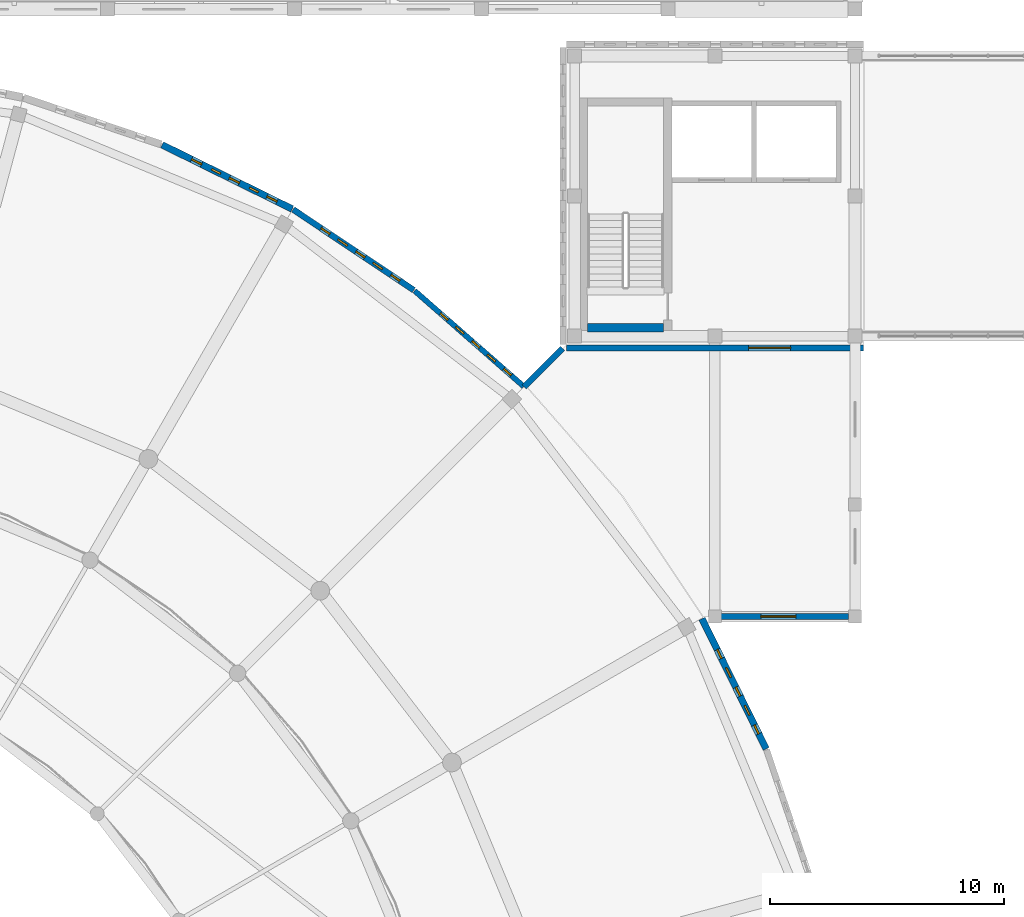
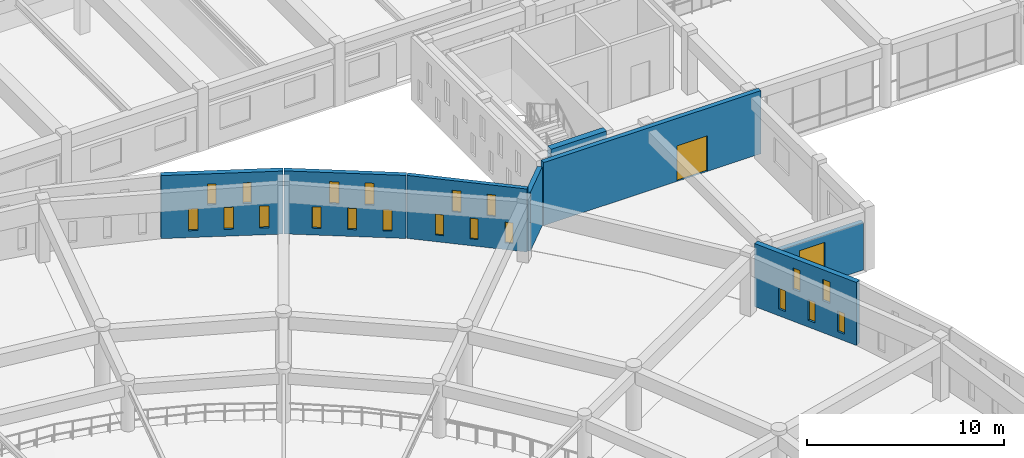
# One storey, part 69 of 98: 21 windows, 8 walls, 1 door, 22 openings.
"""IFC4 building model written with IfcOpenShell, lengths in metres."""

import ifcopenshell
import ifcopenshell.guid

model = None  # the IFC model being written
_history = None  # IfcOwnerHistory: only IFC2X3 demands one
_inside = {}  # id of a spatial element -> (the spatial element, [elements in it])
_under = {}  # id of a project, library or spatial element -> (it, [spatial elements below it])
_declared = {}  # id of a project -> (the project, [libraries it declares])
_typed = {}  # id of a type object -> (the type object, [elements of that type])
_made_of = {}  # id of a material, layer set ... -> (it, [elements and type objects made of it])


def new_model(schema):
    """Start an empty IFC model of exactly this schema.

    Asked for "IFC4X3", IfcOpenShell would pick the latest addendum, in which some entities
    have other attributes; the version numbers below select the first issue.
    IFC2X3 requires an IfcOwnerHistory on every rooted entity: one is made here for all.
    """
    global model, _history
    if schema == "IFC4X3":
        model = ifcopenshell.file(schema_version=(4, 3, 0, 0))
    else:
        model = ifcopenshell.file(schema=schema)
    _inside.clear()
    _under.clear()
    _declared.clear()
    _typed.clear()
    _made_of.clear()
    _history = None
    if model.schema == "IFC2X3":
        org = make("IfcOrganization", Name="unknown")
        user = make(
            "IfcPersonAndOrganization",
            ThePerson=make("IfcPerson", FamilyName="unknown"),
            TheOrganization=org,
        )
        app = make(
            "IfcApplication",
            ApplicationDeveloper=org,
            Version="unknown",
            ApplicationFullName="unknown",
            ApplicationIdentifier="unknown",
        )
        _history = make(
            "IfcOwnerHistory",
            OwningUser=user,
            OwningApplication=app,
            ChangeAction="ADDED",
            CreationDate=0,
        )
    return model


def make(cls, **values):
    """One entity of the class cls with the attributes given. An attribute that is None is left unset."""
    return model.create_entity(
        cls, **{name: value for name, value in values.items() if value is not None}
    )


def rooted(cls, **values):
    """An entity with a GlobalId (a new one), such as an element, a storey or a relation."""
    return make(cls, GlobalId=ifcopenshell.guid.new(), OwnerHistory=_history, **values)


def si_unit(unit_type, name, prefix=None):
    """IfcSIUnit, for example si_unit("LENGTHUNIT", "METRE", prefix="MILLI")."""
    return make("IfcSIUnit", UnitType=unit_type, Prefix=prefix, Name=name)


def assignment(units):
    """IfcUnitAssignment: the units of a project."""
    return None if units is None else make("IfcUnitAssignment", Units=units)


def point(xyz):
    """IfcCartesianPoint."""
    return None if xyz is None else make("IfcCartesianPoint", Coordinates=xyz)


def direction(xyz):
    """IfcDirection."""
    return None if xyz is None else make("IfcDirection", DirectionRatios=xyz)


def frame(location, z_axis=None, x_axis=None):
    """IfcAxis2Placement3D, a coordinate frame: its origin and axes. An axis left out is left unset."""
    return make(
        "IfcAxis2Placement3D",
        Location=point(location),
        Axis=direction(z_axis),
        RefDirection=direction(x_axis),
    )


def frame_2d(location, x_axis=None):
    """IfcAxis2Placement2D, a coordinate frame in the plane: its origin and x axis."""
    return make(
        "IfcAxis2Placement2D", Location=point(location), RefDirection=direction(x_axis)
    )


def origin():
    """The frame at (0, 0, 0) with its axes left unset."""
    return frame((0.0, 0.0, 0.0))


def place(relative_to, where):
    """IfcLocalPlacement: puts the frame where relative to a parent placement (None: the world)."""
    return make(
        "IfcLocalPlacement", PlacementRelTo=relative_to, RelativePlacement=where
    )


def context(
    kind, dimensions, precision=None, world=None, true_north=None, identifier=None
):
    """IfcGeometricRepresentationContext, for example the 3D "Model" context."""
    return make(
        "IfcGeometricRepresentationContext",
        ContextIdentifier=identifier,
        ContextType=kind,
        CoordinateSpaceDimension=dimensions,
        Precision=precision,
        WorldCoordinateSystem=world,
        TrueNorth=true_north,
    )


def subcontext(parent, identifier, kind, view, scale=None):
    """IfcGeometricRepresentationSubContext, for example "Body" below "Model"."""
    return make(
        "IfcGeometricRepresentationSubContext",
        ContextIdentifier=identifier,
        ContextType=kind,
        ParentContext=parent,
        TargetScale=scale,
        TargetView=view,
    )


def project(units=None, contexts=None):
    """IfcProject with its units and contexts."""
    return rooted(
        "IfcProject",
        Name="project",
        RepresentationContexts=contexts,
        UnitsInContext=assignment(units),
    )


def spatial(cls, under=None, at=None, **own):
    """A site, building, storey or space (cls), placed at a placement, below another one or the project."""
    s = rooted(cls, ObjectPlacement=at, **own)
    if under is not None:
        _under.setdefault(under.id(), (under, []))[1].append(s)
    return s


def profile(cls, at=None, kind="AREA", **sizes):
    """A parametric profile (cls). Its sizes go by their IFC names, for example OverallWidth=200.0."""
    return make(cls, ProfileType=kind, Position=at, **sizes)


def rectangle(**sizes):
    """IfcRectangleProfileDef."""
    return profile("IfcRectangleProfileDef", **sizes)


def extrude(swept, where, along, depth):
    """IfcExtrudedAreaSolid: the profile swept, set in the frame where, extruded along a direction by depth."""
    return make(
        "IfcExtrudedAreaSolid",
        SweptArea=swept,
        Position=where,
        ExtrudedDirection=direction(along),
        Depth=depth,
    )


def shape(context_of_items, identifier, shape_type, items):
    """IfcShapeRepresentation: the items that make up one representation, for example the "Body"."""
    return make(
        "IfcShapeRepresentation",
        ContextOfItems=context_of_items,
        RepresentationIdentifier=identifier,
        RepresentationType=shape_type,
        Items=items,
    )


def material(Name=None, Category=None):
    """IfcMaterial."""
    return make("IfcMaterial", Name=Name, Category=Category)


def layer(
    of_material, thickness, ventilated=None, Name=None, Category=None, Priority=None
):
    """IfcMaterialLayer: one layer of a wall or slab, of a material (None: an air gap)."""
    return make(
        "IfcMaterialLayer",
        Material=of_material,
        LayerThickness=thickness,
        IsVentilated=ventilated,
        Name=Name,
        Category=Category,
        Priority=Priority,
    )


def layer_set(layers, Name=None):
    """IfcMaterialLayerSet."""
    return make("IfcMaterialLayerSet", MaterialLayers=layers, LayerSetName=Name)


def made_of(thing, what):
    """Note that an element or type object is made of a material, layer set ...; save() writes the relation."""
    if what is not None:
        _made_of.setdefault(what.id(), (what, []))[1].append(thing)
    return thing


def type_object(cls, material=None, **own):
    """A type object (cls), such as IfcWallType, which elements share."""
    return made_of(rooted(cls, **own), material)


def element(
    cls,
    number,
    at=None,
    inside=None,
    cuts=None,
    type_object=None,
    material=None,
    context=None,
    identifier="Body",
    shape_type=None,
    held_by="IfcProductDefinitionShape",
    body=None,
    shapes=None,
    **own,
):
    """One element of the class cls, such as IfcWall. Its Tag is "e" and its number.

    at: its placement. inside: the storey or other place that contains it. cuts: it is an
    opening in that element (IfcRelVoidsElement). A single representation is given by context,
    identifier, shape_type and body (its items); several are given by shapes. held_by: the class
    of the entity that holds the representations. save() writes the other relations.
    """
    e = rooted(cls, Tag="e%d" % number, ObjectPlacement=at, **own)
    if body is not None:
        shapes = [shape(context, identifier, shape_type, body)]
    if shapes is not None:
        e.Representation = make(held_by, Representations=shapes)
    if inside is not None:
        _inside.setdefault(inside.id(), (inside, []))[1].append(e)
    if cuts is not None:
        rooted(
            "IfcRelVoidsElement", RelatingBuildingElement=cuts, RelatedOpeningElement=e
        )
    if type_object is not None:
        _typed.setdefault(type_object.id(), (type_object, []))[1].append(e)
    return made_of(e, material)


def fill(opening, filler):
    """IfcRelFillsElement: the door or window that sits in an opening."""
    return rooted(
        "IfcRelFillsElement",
        RelatingOpeningElement=opening,
        RelatedBuildingElement=filler,
    )


def aggregate(whole, parts):
    """IfcRelAggregates: a whole, such as a stair, and the parts it consists of."""
    return rooted("IfcRelAggregates", RelatingObject=whole, RelatedObjects=parts)


def save(model, path):
    """Write the relations noted so far, then the file.

    IfcRelAggregates (storeys below a building ...), IfcRelContainedInSpatialStructure (elements
    in a storey), IfcRelDefinesByType, IfcRelAssociatesMaterial and IfcRelDeclares: one each for
    every whole, place, type object, material and project.
    """
    for whole, parts in _under.values():
        aggregate(whole, parts)
    for where, things in _inside.values():
        rooted(
            "IfcRelContainedInSpatialStructure",
            RelatedElements=things,
            RelatingStructure=where,
        )
    for kind, things in _typed.values():
        rooted("IfcRelDefinesByType", RelatedObjects=things, RelatingType=kind)
    for what, things in _made_of.values():
        rooted("IfcRelAssociatesMaterial", RelatedObjects=things, RelatingMaterial=what)
    for by, libraries in _declared.values():
        rooted("IfcRelDeclares", RelatingContext=by, RelatedDefinitions=libraries)
    model.write(path)


model = new_model("IFC4")

# Units and contexts
model_context = context("Model", 3, precision=1e-05, world=origin(), true_north=direction((0.0, 1.0)))
body_context = subcontext(model_context, "Body", "Model", "MODEL_VIEW")
ifc_project = project(units=[si_unit("LENGTHUNIT", "METRE"), si_unit("AREAUNIT", "SQUARE_METRE"), si_unit("VOLUMEUNIT", "CUBIC_METRE"), si_unit("PLANEANGLEUNIT", "RADIAN"), si_unit("MASSUNIT", "GRAM", prefix="KILO")], contexts=[model_context])

# Site, building, storey
site_placement = place(None, origin())
site = spatial("IfcSite", under=ifc_project, at=site_placement, CompositionType="ELEMENT")
building_placement = place(site_placement, origin())
building = spatial("IfcBuilding", under=site, at=building_placement, Name="Larkveld Mobility Hub", CompositionType="ELEMENT")
storey_placement = place(building_placement, frame((0.0, 0.0, 4.5)))
storey = spatial("IfcBuildingStorey", under=building, at=storey_placement, Name="L01", CompositionType="ELEMENT", Elevation=4.5)

# Wall, openings, windows
ifc_material_1 = material(Name="Fired clay brick 25 MPa", Category="masonry")
ifc_layer_1 = layer(ifc_material_1, 0.22998046875, Name="Fired clay brick 25 MPa", Category="masonry")
ifc_layer_set_1 = layer_set([ifc_layer_1], Name="Fired clay brick 25 MPa")
wall_type_1 = type_object("IfcWallType", Name="WL-BRK-230", PredefinedType="USERDEFINED", material=ifc_layer_set_1)
wall_1_placement = place(storey_placement, frame((81.81689453125, 81.85107421875, 0.0), z_axis=(0.0, 0.0, 1.0), x_axis=(-0.751874993266, 0.65930569124, 0.0)))
wall_1 = element("IfcWall", 1, at=wall_1_placement, inside=storey, type_object=wall_type_1, Name="Drum Woven Open-Bond Brick Chord L01-0051", ObjectType="PERFORATED BRICK SCREEN", PredefinedType="USERDEFINED", context=body_context, shape_type="SweptSolid", body=[
    extrude(rectangle(XDim=6.2109375, YDim=0.22998046875, at=frame_2d((3.10546875, 0.0))), origin(), (0.0, 0.0, 1.0), 3.89990234375),
])
opening_1_placement = place(wall_1_placement, frame((0.719970703125, 0.0, 0.419921875)))
opening_1 = element("IfcOpeningElement", 2, at=opening_1_placement, cuts=wall_1, Name="Opening W01", PredefinedType="OPENING", context=body_context, shape_type="SweptSolid", body=[
    extrude(rectangle(XDim=0.419921875, YDim=1.280029296875, at=frame_2d((0.2099609375, 0.64013671875))), frame((0.0, 0.125, 0.0), z_axis=(0.0, -1.0, 0.0), x_axis=(1.0, 0.0, 0.0)), (0.0, 0.0, 1.0), 0.25),
])
opening_2_placement = place(wall_1_placement, frame((2.52001953125, 0.0, 0.419921875)))
opening_2 = element("IfcOpeningElement", 3, at=opening_2_placement, cuts=wall_1, Name="Opening W01", PredefinedType="OPENING", context=body_context, shape_type="SweptSolid", body=[
    extrude(rectangle(XDim=0.419921875, YDim=1.280029296875, at=frame_2d((0.2099609375, 0.64013671875))), frame((0.0, 0.125, 0.0), z_axis=(0.0, -1.0, 0.0), x_axis=(1.0, 0.0, 0.0)), (0.0, 0.0, 1.0), 0.25),
])
opening_3_placement = place(wall_1_placement, frame((4.320068359375, 0.0, 0.419921875)))
opening_3 = element("IfcOpeningElement", 4, at=opening_3_placement, cuts=wall_1, Name="Opening W01", PredefinedType="OPENING", context=body_context, shape_type="SweptSolid", body=[
    extrude(rectangle(XDim=0.419921875, YDim=1.280029296875, at=frame_2d((0.2099609375, 0.64013671875))), frame((0.0, 0.125, 0.0), z_axis=(0.0, -1.0, 0.0), x_axis=(1.0, 0.0, 0.0)), (0.0, 0.0, 1.0), 0.25),
])
opening_4_placement = place(wall_1_placement, frame((1.6201171875, 0.0, 1.97998046875)))
opening_4 = element("IfcOpeningElement", 5, at=opening_4_placement, cuts=wall_1, Name="Opening W02", PredefinedType="OPENING", context=body_context, shape_type="SweptSolid", body=[
    extrude(rectangle(XDim=0.449951171875, YDim=1.320068359375, at=frame_2d((0.22509765625, 0.66015625))), frame((0.0, 0.125, 0.0), z_axis=(0.0, -1.0, 0.0), x_axis=(1.0, 0.0, 0.0)), (0.0, 0.0, 1.0), 0.25),
])
opening_5_placement = place(wall_1_placement, frame((3.419921875, 0.0, 1.97998046875)))
opening_5 = element("IfcOpeningElement", 6, at=opening_5_placement, cuts=wall_1, Name="Opening W02", PredefinedType="OPENING", context=body_context, shape_type="SweptSolid", body=[
    extrude(rectangle(XDim=0.449951171875, YDim=1.320068359375, at=frame_2d((0.22509765625, 0.66015625))), frame((0.0, 0.125, 0.0), z_axis=(0.0, -1.0, 0.0), x_axis=(1.0, 0.0, 0.0)), (0.0, 0.0, 1.0), 0.25),
])
ifc_material_2 = material(Name="Extruded aluminium ventilation grille", Category="aluminium")
window_type_1 = type_object("IfcWindowType", Name="WN-VENT-01", PartitioningType="SINGLE_PANEL", PredefinedType="WINDOW", material=ifc_material_2)
window_1_placement = place(opening_1_placement, origin())
window_1 = element("IfcWindow", 7, at=window_1_placement, inside=storey, type_object=window_type_1, Name="Window W01 (0241)", OverallHeight=1.280029296875, OverallWidth=0.419921875, PartitioningType="SINGLE_PANEL", PredefinedType="WINDOW", context=body_context, shape_type="SweptSolid", body=[
    extrude(rectangle(XDim=0.419921875, YDim=1.280029296875, at=frame_2d((0.2099609375, 0.64013671875))), frame((0.0, 0.030029296875, 0.0), z_axis=(0.0, -1.0, 0.0), x_axis=(1.0, 0.0, 0.0)), (0.0, 0.0, 1.0), 0.06005859375),
])
fill(opening_1, window_1)
window_2_placement = place(opening_2_placement, origin())
window_2 = element("IfcWindow", 8, at=window_2_placement, inside=storey, type_object=window_type_1, Name="Window W01 (0242)", OverallHeight=1.280029296875, OverallWidth=0.419921875, PartitioningType="SINGLE_PANEL", PredefinedType="WINDOW", context=body_context, shape_type="SweptSolid", body=[
    extrude(rectangle(XDim=0.419921875, YDim=1.280029296875, at=frame_2d((0.2099609375, 0.64013671875))), frame((0.0, 0.030029296875, 0.0), z_axis=(0.0, -1.0, 0.0), x_axis=(1.0, 0.0, 0.0)), (0.0, 0.0, 1.0), 0.06005859375),
])
fill(opening_2, window_2)
window_3_placement = place(opening_3_placement, origin())
window_3 = element("IfcWindow", 9, at=window_3_placement, inside=storey, type_object=window_type_1, Name="Window W01 (0243)", OverallHeight=1.280029296875, OverallWidth=0.419921875, PartitioningType="SINGLE_PANEL", PredefinedType="WINDOW", context=body_context, shape_type="SweptSolid", body=[
    extrude(rectangle(XDim=0.419921875, YDim=1.280029296875, at=frame_2d((0.2099609375, 0.64013671875))), frame((0.0, 0.030029296875, 0.0), z_axis=(0.0, -1.0, 0.0), x_axis=(1.0, 0.0, 0.0)), (0.0, 0.0, 1.0), 0.06005859375),
])
fill(opening_3, window_3)
window_type_2 = type_object("IfcWindowType", Name="WN-VENT-02", PartitioningType="SINGLE_PANEL", PredefinedType="WINDOW", material=ifc_material_2)
window_4_placement = place(opening_4_placement, origin())
window_4 = element("IfcWindow", 10, at=window_4_placement, inside=storey, type_object=window_type_2, Name="Window W02 (0244)", OverallHeight=1.320068359375, OverallWidth=0.449951171875, PartitioningType="SINGLE_PANEL", PredefinedType="WINDOW", context=body_context, shape_type="SweptSolid", body=[
    extrude(rectangle(XDim=0.449951171875, YDim=1.320068359375, at=frame_2d((0.22509765625, 0.66015625))), frame((0.0, 0.030029296875, 0.0), z_axis=(0.0, -1.0, 0.0), x_axis=(1.0, 0.0, 0.0)), (0.0, 0.0, 1.0), 0.06005859375),
])
fill(opening_4, window_4)
window_5_placement = place(opening_5_placement, origin())
window_5 = element("IfcWindow", 11, at=window_5_placement, inside=storey, type_object=window_type_2, Name="Window W02 (0245)", OverallHeight=1.320068359375, OverallWidth=0.449951171875, PartitioningType="SINGLE_PANEL", PredefinedType="WINDOW", context=body_context, shape_type="SweptSolid", body=[
    extrude(rectangle(XDim=0.449951171875, YDim=1.320068359375, at=frame_2d((0.22509765625, 0.66015625))), frame((0.0, 0.030029296875, 0.0), z_axis=(0.0, -1.0, 0.0), x_axis=(1.0, 0.0, 0.0)), (0.0, 0.0, 1.0), 0.06005859375),
])
fill(opening_5, window_5)

ifc_layer_2 = layer(ifc_material_1, 0.260009765625, Name="Fired clay brick 25 MPa", Category="masonry")
ifc_layer_set_2 = layer_set([ifc_layer_2], Name="Fired clay brick 25 MPa")
wall_type_2 = type_object("IfcWallType", Name="WL-BRK-260", PredefinedType="USERDEFINED", material=ifc_layer_set_2)
wall_2_placement = place(storey_placement, frame((77.10888671875, 85.97509765625, 0.0), z_axis=(0.0, 0.0, 1.0), x_axis=(-0.831426871608, 0.555634193664, 0.0)))
wall_2 = element("IfcWall", 12, at=wall_2_placement, inside=storey, type_object=wall_type_2, Name="Drum Woven Open-Bond Brick Chord L01-0052", ObjectType="PERFORATED BRICK SCREEN", PredefinedType="USERDEFINED", context=body_context, shape_type="SweptSolid", body=[
    extrude(rectangle(XDim=6.210693359375, YDim=0.260009765625, at=frame_2d((3.10546875, 0.0))), origin(), (0.0, 0.0, 1.0), 3.89990234375),
])
opening_6_placement = place(wall_2_placement, frame((0.719970703125, 0.0, 0.419921875)))
opening_6 = element("IfcOpeningElement", 13, at=opening_6_placement, cuts=wall_2, Name="Opening W02", PredefinedType="OPENING", context=body_context, shape_type="SweptSolid", body=[
    extrude(rectangle(XDim=0.449951171875, YDim=1.320068359375, at=frame_2d((0.22509765625, 0.66015625))), frame((0.0, 0.14013671875, 0.0), z_axis=(0.0, -1.0, 0.0), x_axis=(1.0, 0.0, 0.0)), (0.0, 0.0, 1.0), 0.280029296875),
])
opening_7_placement = place(wall_2_placement, frame((2.52001953125, 0.0, 0.419921875)))
opening_7 = element("IfcOpeningElement", 14, at=opening_7_placement, cuts=wall_2, Name="Opening W02", PredefinedType="OPENING", context=body_context, shape_type="SweptSolid", body=[
    extrude(rectangle(XDim=0.449951171875, YDim=1.320068359375, at=frame_2d((0.22509765625, 0.66015625))), frame((0.0, 0.14013671875, 0.0), z_axis=(0.0, -1.0, 0.0), x_axis=(1.0, 0.0, 0.0)), (0.0, 0.0, 1.0), 0.280029296875),
])
opening_8_placement = place(wall_2_placement, frame((4.320068359375, 0.0, 0.419921875)))
opening_8 = element("IfcOpeningElement", 15, at=opening_8_placement, cuts=wall_2, Name="Opening W02", PredefinedType="OPENING", context=body_context, shape_type="SweptSolid", body=[
    extrude(rectangle(XDim=0.449951171875, YDim=1.320068359375, at=frame_2d((0.22509765625, 0.66015625))), frame((0.0, 0.14013671875, 0.0), z_axis=(0.0, -1.0, 0.0), x_axis=(1.0, 0.0, 0.0)), (0.0, 0.0, 1.0), 0.280029296875),
])
opening_9_placement = place(wall_2_placement, frame((1.6201171875, 0.0, 1.97998046875)))
opening_9 = element("IfcOpeningElement", 16, at=opening_9_placement, cuts=wall_2, Name="Opening W03", PredefinedType="OPENING", context=body_context, shape_type="SweptSolid", body=[
    extrude(rectangle(XDim=0.47998046875, YDim=1.360107421875, at=frame_2d((0.239990234375, 0.68017578125))), frame((0.0, 0.14013671875, 0.0), z_axis=(0.0, -1.0, 0.0), x_axis=(1.0, 0.0, 0.0)), (0.0, 0.0, 1.0), 0.280029296875),
])
opening_10_placement = place(wall_2_placement, frame((3.419921875, 0.0, 1.97998046875)))
opening_10 = element("IfcOpeningElement", 17, at=opening_10_placement, cuts=wall_2, Name="Opening W03", PredefinedType="OPENING", context=body_context, shape_type="SweptSolid", body=[
    extrude(rectangle(XDim=0.47998046875, YDim=1.360107421875, at=frame_2d((0.239990234375, 0.68017578125))), frame((0.0, 0.14013671875, 0.0), z_axis=(0.0, -1.0, 0.0), x_axis=(1.0, 0.0, 0.0)), (0.0, 0.0, 1.0), 0.280029296875),
])
window_6_placement = place(opening_6_placement, origin())
window_6 = element("IfcWindow", 18, at=window_6_placement, inside=storey, type_object=window_type_2, Name="Window W02 (0246)", OverallHeight=1.320068359375, OverallWidth=0.449951171875, PartitioningType="SINGLE_PANEL", PredefinedType="WINDOW", context=body_context, shape_type="SweptSolid", body=[
    extrude(rectangle(XDim=0.449951171875, YDim=1.320068359375, at=frame_2d((0.22509765625, 0.66015625))), frame((0.0, 0.030029296875, 0.0), z_axis=(0.0, -1.0, 0.0), x_axis=(1.0, 0.0, 0.0)), (0.0, 0.0, 1.0), 0.06005859375),
])
fill(opening_6, window_6)
window_7_placement = place(opening_7_placement, origin())
window_7 = element("IfcWindow", 19, at=window_7_placement, inside=storey, type_object=window_type_2, Name="Window W02 (0247)", OverallHeight=1.320068359375, OverallWidth=0.449951171875, PartitioningType="SINGLE_PANEL", PredefinedType="WINDOW", context=body_context, shape_type="SweptSolid", body=[
    extrude(rectangle(XDim=0.449951171875, YDim=1.320068359375, at=frame_2d((0.22509765625, 0.66015625))), frame((0.0, 0.030029296875, 0.0), z_axis=(0.0, -1.0, 0.0), x_axis=(1.0, 0.0, 0.0)), (0.0, 0.0, 1.0), 0.06005859375),
])
fill(opening_7, window_7)
window_8_placement = place(opening_8_placement, origin())
window_8 = element("IfcWindow", 20, at=window_8_placement, inside=storey, type_object=window_type_2, Name="Window W02 (0248)", OverallHeight=1.320068359375, OverallWidth=0.449951171875, PartitioningType="SINGLE_PANEL", PredefinedType="WINDOW", context=body_context, shape_type="SweptSolid", body=[
    extrude(rectangle(XDim=0.449951171875, YDim=1.320068359375, at=frame_2d((0.22509765625, 0.66015625))), frame((0.0, 0.030029296875, 0.0), z_axis=(0.0, -1.0, 0.0), x_axis=(1.0, 0.0, 0.0)), (0.0, 0.0, 1.0), 0.06005859375),
])
fill(opening_8, window_8)
window_type_3 = type_object("IfcWindowType", Name="WN-VENT-03", PartitioningType="SINGLE_PANEL", PredefinedType="WINDOW", material=ifc_material_2)
window_9_placement = place(opening_9_placement, origin())
window_9 = element("IfcWindow", 21, at=window_9_placement, inside=storey, type_object=window_type_3, Name="Window W03 (0249)", OverallHeight=1.360107421875, OverallWidth=0.47998046875, PartitioningType="SINGLE_PANEL", PredefinedType="WINDOW", context=body_context, shape_type="SweptSolid", body=[
    extrude(rectangle(XDim=0.47998046875, YDim=1.360107421875, at=frame_2d((0.239990234375, 0.68017578125))), frame((0.0, 0.030029296875, 0.0), z_axis=(0.0, -1.0, 0.0), x_axis=(1.0, 0.0, 0.0)), (0.0, 0.0, 1.0), 0.06005859375),
])
fill(opening_9, window_9)
window_10_placement = place(opening_10_placement, origin())
window_10 = element("IfcWindow", 22, at=window_10_placement, inside=storey, type_object=window_type_3, Name="Window W03 (0250)", OverallHeight=1.360107421875, OverallWidth=0.47998046875, PartitioningType="SINGLE_PANEL", PredefinedType="WINDOW", context=body_context, shape_type="SweptSolid", body=[
    extrude(rectangle(XDim=0.47998046875, YDim=1.360107421875, at=frame_2d((0.239990234375, 0.68017578125))), frame((0.0, 0.030029296875, 0.0), z_axis=(0.0, -1.0, 0.0), x_axis=(1.0, 0.0, 0.0)), (0.0, 0.0, 1.0), 0.06005859375),
])
fill(opening_10, window_10)

# Wall, opening, window
wall_3_placement = place(storey_placement, frame((89.72412109375, 72.0, 0.0), z_axis=(0.0, 0.0, 1.0), x_axis=(1.0, 0.0, 0.0)))
wall_3 = element("IfcWall", 23, at=wall_3_placement, inside=storey, type_object=wall_type_2, Name="Drum Link South Wall L01-0160", ObjectType="PERFORATED BRICK SCREEN", PredefinedType="USERDEFINED", context=body_context, shape_type="SweptSolid", body=[
    extrude(rectangle(XDim=5.990966796875, YDim=0.260009765625, at=frame_2d((2.99560546875, 0.0))), origin(), (0.0, 0.0, 1.0), 2.945068359375),
])
opening_11_placement = place(wall_3_placement, frame((2.2451171875, 0.0, 1.0)))
opening_11 = element("IfcOpeningElement", 24, at=opening_11_placement, cuts=wall_3, Name="Opening W06", PredefinedType="OPENING", context=body_context, shape_type="SweptSolid", body=[
    extrude(rectangle(XDim=1.5, YDim=1.5, at=frame_2d((0.75, 0.75))), frame((0.0, 0.14013671875, 0.0), z_axis=(0.0, -1.0, 0.0), x_axis=(1.0, 0.0, 0.0)), (0.0, 0.0, 1.0), 0.280029296875),
])
ifc_material_3 = material(Name="Low-E double glazing in aluminium frame", Category="aluminium")
window_type_4 = type_object("IfcWindowType", Name="WN-ALU-06", PartitioningType="SINGLE_PANEL", PredefinedType="WINDOW", material=ifc_material_3)
window_11_placement = place(opening_11_placement, origin())
window_11 = element("IfcWindow", 25, at=window_11_placement, inside=storey, type_object=window_type_4, Name="Window W06 (0820)", OverallHeight=1.5, OverallWidth=1.5, PartitioningType="SINGLE_PANEL", PredefinedType="WINDOW", context=body_context, shape_type="SweptSolid", body=[
    extrude(rectangle(XDim=1.5, YDim=1.5, at=frame_2d((0.75, 0.75))), frame((0.0, 0.030029296875, 0.0), z_axis=(0.0, -1.0, 0.0), x_axis=(1.0, 0.0, 0.0)), (0.0, 0.0, 1.0), 0.06005859375),
])
fill(opening_11, window_11)

# Wall
wall_4_placement = place(storey_placement, frame((83.47998046875, 83.47998046875, 0.0), z_axis=(0.0, 0.0, 1.0), x_axis=(-0.707106781187, -0.707106781187, 0.0)))
element("IfcWall", 26, at=wall_4_placement, inside=storey, type_object=wall_type_2, Name="Drum Link West Seal Wall L01-0162", ObjectType="PERFORATED BRICK SCREEN", PredefinedType="USERDEFINED", context=body_context, shape_type="SweptSolid", body=[
    extrude(rectangle(XDim=2.326416015625, YDim=0.260009765625, at=frame_2d((1.1630859375, 0.0))), origin(), (0.0, 0.0, 1.0), 3.64501953125),
])

# Wall, opening, door
ifc_layer_3 = layer(ifc_material_1, 0.264892578125, Name="Fired clay brick 25 MPa", Category="masonry")
ifc_layer_set_3 = layer_set([ifc_layer_3], Name="Fired clay brick 25 MPa")
wall_type_3 = type_object("IfcWallType", Name="WL-BRK-265", PredefinedType="USERDEFINED", material=ifc_layer_set_3)
wall_5_placement = place(storey_placement, frame((83.639892578125, 83.5, 0.0), z_axis=(0.0, 0.0, 1.0), x_axis=(1.0, 0.0, 0.0)))
wall_5 = element("IfcWall", 27, at=wall_5_placement, inside=storey, type_object=wall_type_3, Name="Square Brick Pavilion S Wall L01-0145", ObjectType="PERFORATED BRICK SCREEN", PredefinedType="USERDEFINED", context=body_context, shape_type="SweptSolid", body=[
    extrude(rectangle(XDim=12.72021484375, YDim=0.264892578125, at=frame_2d((6.360107421875, 0.0))), origin(), (0.0, 0.0, 1.0), 3.89990234375),
])
opening_12_placement = place(wall_5_placement, frame((7.800048828125, 0.0, 0.0)))
opening_12 = element("IfcOpeningElement", 28, at=opening_12_placement, cuts=wall_5, Name="Opening DL01", PredefinedType="OPENING", context=body_context, shape_type="SweptSolid", body=[
    extrude(rectangle(XDim=1.800048828125, YDim=2.199951171875, at=frame_2d((0.89990234375, 1.10009765625))), frame((0.0, 0.142578125, 0.0), z_axis=(0.0, -1.0, 0.0), x_axis=(1.0, 0.0, 0.0)), (0.0, 0.0, 1.0), 0.284912109375),
])
ifc_material_4 = material(Name="Pressed Steel S355JR glazed fire door assembly", Category="steel")
door_type = type_object("IfcDoorType", Name="DR-LNK-DB18", OperationType="DOUBLE_DOOR_SINGLE_SWING", PredefinedType="DOOR", material=ifc_material_4)
door_placement = place(opening_12_placement, origin())
door = element("IfcDoor", 29, at=door_placement, inside=storey, type_object=door_type, Name="Drum Pavilion Link Lobby Door L01-003", OperationType="DOUBLE_DOOR_SINGLE_SWING", OverallHeight=2.199951171875, OverallWidth=1.800048828125, PredefinedType="DOOR", context=body_context, shape_type="SweptSolid", body=[
    extrude(rectangle(XDim=1.800048828125, YDim=2.199951171875, at=frame_2d((0.89990234375, 1.10009765625))), frame((0.0, 0.02490234375, 0.0), z_axis=(0.0, -1.0, 0.0), x_axis=(1.0, 0.0, 0.0)), (0.0, 0.0, 1.0), 0.050048828125),
])
fill(opening_12, door)

# Wall, openings, windows
ifc_layer_4 = layer(ifc_material_1, 0.2900390625, Name="Fired clay brick 25 MPa", Category="masonry")
ifc_layer_set_4 = layer_set([ifc_layer_4], Name="Fired clay brick 25 MPa")
wall_type_4 = type_object("IfcWallType", Name="WL-BRK-290", PredefinedType="USERDEFINED", material=ifc_layer_set_4)
wall_6_placement = place(storey_placement, frame((92.197021484375, 66.3330078125, 0.0), z_axis=(0.0, 0.0, 1.0), x_axis=(-0.442316740488, 0.896858908126, 0.0)))
wall_6 = element("IfcWall", 30, at=wall_6_placement, inside=storey, type_object=wall_type_4, Name="Drum Woven Open-Bond Brick Chord L01-0050", ObjectType="PERFORATED BRICK SCREEN", PredefinedType="USERDEFINED", context=body_context, shape_type="SweptSolid", body=[
    extrude(rectangle(XDim=6.210693359375, YDim=0.2900390625, at=frame_2d((3.10546875, 0.0))), origin(), (0.0, 0.0, 1.0), 3.89990234375),
])
opening_13_placement = place(wall_6_placement, frame((0.719970703125, 0.0, 0.419921875)))
opening_13 = element("IfcOpeningElement", 31, at=opening_13_placement, cuts=wall_6, Name="Opening W01", PredefinedType="OPENING", context=body_context, shape_type="SweptSolid", body=[
    extrude(rectangle(XDim=0.419921875, YDim=1.280029296875, at=frame_2d((0.2099609375, 0.64013671875))), frame((0.0, 0.155029296875, 0.0), z_axis=(0.0, -1.0, 0.0), x_axis=(1.0, 0.0, 0.0)), (0.0, 0.0, 1.0), 0.31005859375),
])
opening_14_placement = place(wall_6_placement, frame((2.52001953125, 0.0, 0.419921875)))
opening_14 = element("IfcOpeningElement", 32, at=opening_14_placement, cuts=wall_6, Name="Opening W01", PredefinedType="OPENING", context=body_context, shape_type="SweptSolid", body=[
    extrude(rectangle(XDim=0.419921875, YDim=1.280029296875, at=frame_2d((0.2099609375, 0.64013671875))), frame((0.0, 0.155029296875, 0.0), z_axis=(0.0, -1.0, 0.0), x_axis=(1.0, 0.0, 0.0)), (0.0, 0.0, 1.0), 0.31005859375),
])
opening_15_placement = place(wall_6_placement, frame((4.320068359375, 0.0, 0.419921875)))
opening_15 = element("IfcOpeningElement", 33, at=opening_15_placement, cuts=wall_6, Name="Opening W01", PredefinedType="OPENING", context=body_context, shape_type="SweptSolid", body=[
    extrude(rectangle(XDim=0.419921875, YDim=1.280029296875, at=frame_2d((0.2099609375, 0.64013671875))), frame((0.0, 0.155029296875, 0.0), z_axis=(0.0, -1.0, 0.0), x_axis=(1.0, 0.0, 0.0)), (0.0, 0.0, 1.0), 0.31005859375),
])
opening_16_placement = place(wall_6_placement, frame((1.6201171875, 0.0, 1.97998046875)))
opening_16 = element("IfcOpeningElement", 34, at=opening_16_placement, cuts=wall_6, Name="Opening W02", PredefinedType="OPENING", context=body_context, shape_type="SweptSolid", body=[
    extrude(rectangle(XDim=0.449951171875, YDim=1.320068359375, at=frame_2d((0.22509765625, 0.66015625))), frame((0.0, 0.155029296875, 0.0), z_axis=(0.0, -1.0, 0.0), x_axis=(1.0, 0.0, 0.0)), (0.0, 0.0, 1.0), 0.31005859375),
])
opening_17_placement = place(wall_6_placement, frame((3.419921875, 0.0, 1.97998046875)))
opening_17 = element("IfcOpeningElement", 35, at=opening_17_placement, cuts=wall_6, Name="Opening W02", PredefinedType="OPENING", context=body_context, shape_type="SweptSolid", body=[
    extrude(rectangle(XDim=0.449951171875, YDim=1.320068359375, at=frame_2d((0.22509765625, 0.66015625))), frame((0.0, 0.155029296875, 0.0), z_axis=(0.0, -1.0, 0.0), x_axis=(1.0, 0.0, 0.0)), (0.0, 0.0, 1.0), 0.31005859375),
])
window_12_placement = place(opening_13_placement, origin())
window_12 = element("IfcWindow", 36, at=window_12_placement, inside=storey, type_object=window_type_1, Name="Window W01 (0236)", OverallHeight=1.280029296875, OverallWidth=0.419921875, PartitioningType="SINGLE_PANEL", PredefinedType="WINDOW", context=body_context, shape_type="SweptSolid", body=[
    extrude(rectangle(XDim=0.419921875, YDim=1.280029296875, at=frame_2d((0.2099609375, 0.64013671875))), frame((0.0, 0.030029296875, 0.0), z_axis=(0.0, -1.0, 0.0), x_axis=(1.0, 0.0, 0.0)), (0.0, 0.0, 1.0), 0.06005859375),
])
fill(opening_13, window_12)
window_13_placement = place(opening_14_placement, origin())
window_13 = element("IfcWindow", 37, at=window_13_placement, inside=storey, type_object=window_type_1, Name="Window W01 (0237)", OverallHeight=1.280029296875, OverallWidth=0.419921875, PartitioningType="SINGLE_PANEL", PredefinedType="WINDOW", context=body_context, shape_type="SweptSolid", body=[
    extrude(rectangle(XDim=0.419921875, YDim=1.280029296875, at=frame_2d((0.2099609375, 0.64013671875))), frame((0.0, 0.030029296875, 0.0), z_axis=(0.0, -1.0, 0.0), x_axis=(1.0, 0.0, 0.0)), (0.0, 0.0, 1.0), 0.06005859375),
])
fill(opening_14, window_13)
window_14_placement = place(opening_15_placement, origin())
window_14 = element("IfcWindow", 38, at=window_14_placement, inside=storey, type_object=window_type_1, Name="Window W01 (0238)", OverallHeight=1.280029296875, OverallWidth=0.419921875, PartitioningType="SINGLE_PANEL", PredefinedType="WINDOW", context=body_context, shape_type="SweptSolid", body=[
    extrude(rectangle(XDim=0.419921875, YDim=1.280029296875, at=frame_2d((0.2099609375, 0.64013671875))), frame((0.0, 0.030029296875, 0.0), z_axis=(0.0, -1.0, 0.0), x_axis=(1.0, 0.0, 0.0)), (0.0, 0.0, 1.0), 0.06005859375),
])
fill(opening_15, window_14)
window_15_placement = place(opening_16_placement, origin())
window_15 = element("IfcWindow", 39, at=window_15_placement, inside=storey, type_object=window_type_2, Name="Window W02 (0239)", OverallHeight=1.320068359375, OverallWidth=0.449951171875, PartitioningType="SINGLE_PANEL", PredefinedType="WINDOW", context=body_context, shape_type="SweptSolid", body=[
    extrude(rectangle(XDim=0.449951171875, YDim=1.320068359375, at=frame_2d((0.22509765625, 0.66015625))), frame((0.0, 0.030029296875, 0.0), z_axis=(0.0, -1.0, 0.0), x_axis=(1.0, 0.0, 0.0)), (0.0, 0.0, 1.0), 0.06005859375),
])
fill(opening_16, window_15)
window_16_placement = place(opening_17_placement, origin())
window_16 = element("IfcWindow", 40, at=window_16_placement, inside=storey, type_object=window_type_2, Name="Window W02 (0240)", OverallHeight=1.320068359375, OverallWidth=0.449951171875, PartitioningType="SINGLE_PANEL", PredefinedType="WINDOW", context=body_context, shape_type="SweptSolid", body=[
    extrude(rectangle(XDim=0.449951171875, YDim=1.320068359375, at=frame_2d((0.22509765625, 0.66015625))), frame((0.0, 0.030029296875, 0.0), z_axis=(0.0, -1.0, 0.0), x_axis=(1.0, 0.0, 0.0)), (0.0, 0.0, 1.0), 0.06005859375),
])
fill(opening_17, window_16)

wall_7_placement = place(storey_placement, frame((71.903076171875, 89.449951171875, 0.0), z_axis=(0.0, 0.0, 1.0), x_axis=(-0.896858908126, 0.442316740488, 0.0)))
wall_7 = element("IfcWall", 41, at=wall_7_placement, inside=storey, type_object=wall_type_4, Name="Drum Woven Open-Bond Brick Chord L01-0053", ObjectType="PERFORATED BRICK SCREEN", PredefinedType="USERDEFINED", context=body_context, shape_type="SweptSolid", body=[
    extrude(rectangle(XDim=6.210693359375, YDim=0.2900390625, at=frame_2d((3.10546875, 0.0))), origin(), (0.0, 0.0, 1.0), 3.89990234375),
])
opening_18_placement = place(wall_7_placement, frame((0.719970703125, 0.0, 0.419921875)))
opening_18 = element("IfcOpeningElement", 42, at=opening_18_placement, cuts=wall_7, Name="Opening W03", PredefinedType="OPENING", context=body_context, shape_type="SweptSolid", body=[
    extrude(rectangle(XDim=0.47998046875, YDim=1.360107421875, at=frame_2d((0.239990234375, 0.68017578125))), frame((0.0, 0.155029296875, 0.0), z_axis=(0.0, -1.0, 0.0), x_axis=(1.0, 0.0, 0.0)), (0.0, 0.0, 1.0), 0.31005859375),
])
opening_19_placement = place(wall_7_placement, frame((2.52001953125, 0.0, 0.419921875)))
opening_19 = element("IfcOpeningElement", 43, at=opening_19_placement, cuts=wall_7, Name="Opening W03", PredefinedType="OPENING", context=body_context, shape_type="SweptSolid", body=[
    extrude(rectangle(XDim=0.47998046875, YDim=1.360107421875, at=frame_2d((0.239990234375, 0.68017578125))), frame((0.0, 0.155029296875, 0.0), z_axis=(0.0, -1.0, 0.0), x_axis=(1.0, 0.0, 0.0)), (0.0, 0.0, 1.0), 0.31005859375),
])
opening_20_placement = place(wall_7_placement, frame((4.320068359375, 0.0, 0.419921875)))
opening_20 = element("IfcOpeningElement", 44, at=opening_20_placement, cuts=wall_7, Name="Opening W03", PredefinedType="OPENING", context=body_context, shape_type="SweptSolid", body=[
    extrude(rectangle(XDim=0.47998046875, YDim=1.360107421875, at=frame_2d((0.239990234375, 0.68017578125))), frame((0.0, 0.155029296875, 0.0), z_axis=(0.0, -1.0, 0.0), x_axis=(1.0, 0.0, 0.0)), (0.0, 0.0, 1.0), 0.31005859375),
])
opening_21_placement = place(wall_7_placement, frame((1.6201171875, 0.0, 1.97998046875)))
opening_21 = element("IfcOpeningElement", 45, at=opening_21_placement, cuts=wall_7, Name="Opening W01", PredefinedType="OPENING", context=body_context, shape_type="SweptSolid", body=[
    extrude(rectangle(XDim=0.419921875, YDim=1.280029296875, at=frame_2d((0.2099609375, 0.64013671875))), frame((0.0, 0.155029296875, 0.0), z_axis=(0.0, -1.0, 0.0), x_axis=(1.0, 0.0, 0.0)), (0.0, 0.0, 1.0), 0.31005859375),
])
opening_22_placement = place(wall_7_placement, frame((3.419921875, 0.0, 1.97998046875)))
opening_22 = element("IfcOpeningElement", 46, at=opening_22_placement, cuts=wall_7, Name="Opening W01", PredefinedType="OPENING", context=body_context, shape_type="SweptSolid", body=[
    extrude(rectangle(XDim=0.419921875, YDim=1.280029296875, at=frame_2d((0.2099609375, 0.64013671875))), frame((0.0, 0.155029296875, 0.0), z_axis=(0.0, -1.0, 0.0), x_axis=(1.0, 0.0, 0.0)), (0.0, 0.0, 1.0), 0.31005859375),
])
window_17_placement = place(opening_21_placement, origin())
window_17 = element("IfcWindow", 47, at=window_17_placement, inside=storey, type_object=window_type_1, Name="Window W01 (0254)", OverallHeight=1.280029296875, OverallWidth=0.419921875, PartitioningType="SINGLE_PANEL", PredefinedType="WINDOW", context=body_context, shape_type="SweptSolid", body=[
    extrude(rectangle(XDim=0.419921875, YDim=1.280029296875, at=frame_2d((0.2099609375, 0.64013671875))), frame((0.0, 0.030029296875, 0.0), z_axis=(0.0, -1.0, 0.0), x_axis=(1.0, 0.0, 0.0)), (0.0, 0.0, 1.0), 0.06005859375),
])
fill(opening_21, window_17)
window_18_placement = place(opening_22_placement, origin())
window_18 = element("IfcWindow", 48, at=window_18_placement, inside=storey, type_object=window_type_1, Name="Window W01 (0255)", OverallHeight=1.280029296875, OverallWidth=0.419921875, PartitioningType="SINGLE_PANEL", PredefinedType="WINDOW", context=body_context, shape_type="SweptSolid", body=[
    extrude(rectangle(XDim=0.419921875, YDim=1.280029296875, at=frame_2d((0.2099609375, 0.64013671875))), frame((0.0, 0.030029296875, 0.0), z_axis=(0.0, -1.0, 0.0), x_axis=(1.0, 0.0, 0.0)), (0.0, 0.0, 1.0), 0.06005859375),
])
fill(opening_22, window_18)
window_19_placement = place(opening_18_placement, origin())
window_19 = element("IfcWindow", 49, at=window_19_placement, inside=storey, type_object=window_type_3, Name="Window W03 (0251)", OverallHeight=1.360107421875, OverallWidth=0.47998046875, PartitioningType="SINGLE_PANEL", PredefinedType="WINDOW", context=body_context, shape_type="SweptSolid", body=[
    extrude(rectangle(XDim=0.47998046875, YDim=1.360107421875, at=frame_2d((0.239990234375, 0.68017578125))), frame((0.0, 0.030029296875, 0.0), z_axis=(0.0, -1.0, 0.0), x_axis=(1.0, 0.0, 0.0)), (0.0, 0.0, 1.0), 0.06005859375),
])
fill(opening_18, window_19)
window_20_placement = place(opening_19_placement, origin())
window_20 = element("IfcWindow", 50, at=window_20_placement, inside=storey, type_object=window_type_3, Name="Window W03 (0252)", OverallHeight=1.360107421875, OverallWidth=0.47998046875, PartitioningType="SINGLE_PANEL", PredefinedType="WINDOW", context=body_context, shape_type="SweptSolid", body=[
    extrude(rectangle(XDim=0.47998046875, YDim=1.360107421875, at=frame_2d((0.239990234375, 0.68017578125))), frame((0.0, 0.030029296875, 0.0), z_axis=(0.0, -1.0, 0.0), x_axis=(1.0, 0.0, 0.0)), (0.0, 0.0, 1.0), 0.06005859375),
])
fill(opening_19, window_20)
window_21_placement = place(opening_20_placement, origin())
window_21 = element("IfcWindow", 51, at=window_21_placement, inside=storey, type_object=window_type_3, Name="Window W03 (0253)", OverallHeight=1.360107421875, OverallWidth=0.47998046875, PartitioningType="SINGLE_PANEL", PredefinedType="WINDOW", context=body_context, shape_type="SweptSolid", body=[
    extrude(rectangle(XDim=0.47998046875, YDim=1.360107421875, at=frame_2d((0.239990234375, 0.68017578125))), frame((0.0, 0.030029296875, 0.0), z_axis=(0.0, -1.0, 0.0), x_axis=(1.0, 0.0, 0.0)), (0.0, 0.0, 1.0), 0.06005859375),
])
fill(opening_20, window_21)

# Wall
ifc_material_5 = material(Name="Concrete C40/50", Category="concrete")
ifc_layer_5 = layer(ifc_material_5, 0.360107421875, Name="Concrete C40/50", Category="concrete")
ifc_layer_set_5 = layer_set([ifc_layer_5], Name="Concrete C40/50")
wall_type_5 = type_object("IfcWallType", Name="WL-SHR-05", PredefinedType="SHEAR", material=ifc_layer_set_5)
wall_8_placement = place(storey_placement, frame((87.800048828125, 84.3701171875, 0.0), z_axis=(0.0, 0.0, 1.0), x_axis=(-1.0, 0.0, 0.0)))
element("IfcWall", 52, at=wall_8_placement, inside=storey, type_object=wall_type_5, Name="Core C5 Stair Shear Wall L01-S", PredefinedType="SHEAR", context=body_context, shape_type="SweptSolid", body=[
    extrude(rectangle(XDim=3.25, YDim=0.360107421875, at=frame_2d((1.625, 0.0))), origin(), (0.0, 0.0, 1.0), 3.89990234375),
])

save(model, "model.ifc")
